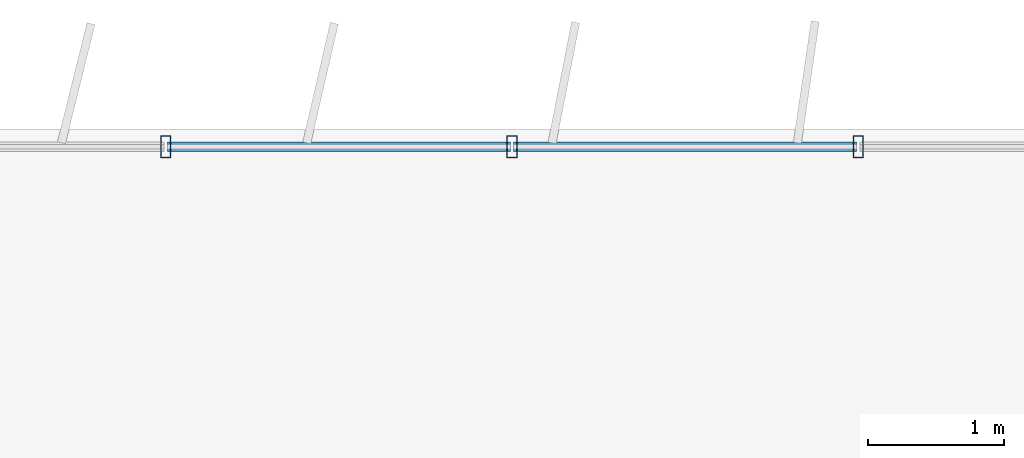
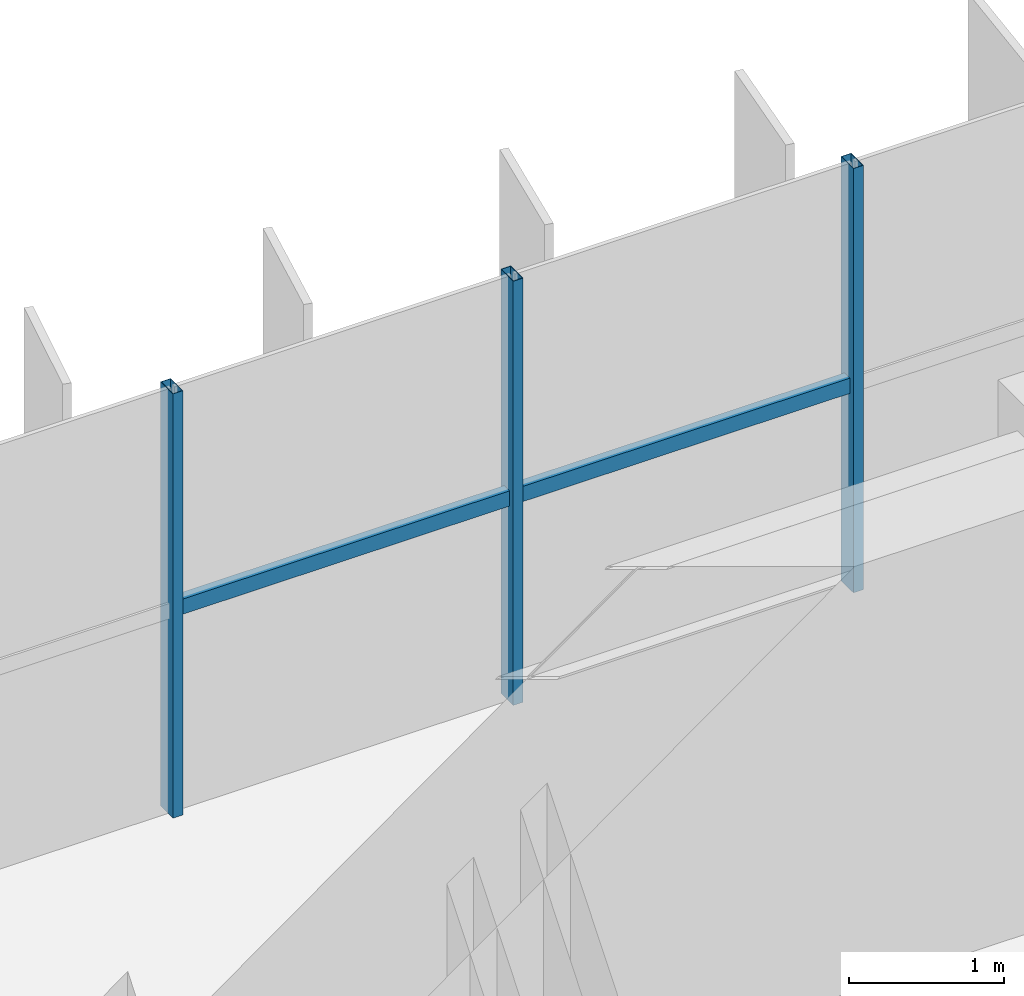
# One storey, part 6 of 21: 5 members, 1 element without a shape of its own.
"""IFC4 building model written with IfcOpenShell, lengths in metres."""

from ifc_helpers import new_model, si_unit, direction, frame, origin, origin_2d, place, context, subcontext, project, spatial, hollow_rectangle, extrude, source, transform, mapped, material, material_profile, profile_set, type_object, element, aggregate, save


model = new_model("IFC4")

# Units and contexts
model_context = context("Model", 3, precision=1e-05, world=origin(), true_north=direction((0.0, 1.0)))
body_context = subcontext(model_context, "Body", "Model", "MODEL_VIEW")
ifc_project = project(units=[si_unit("LENGTHUNIT", "METRE"), si_unit("AREAUNIT", "SQUARE_METRE"), si_unit("VOLUMEUNIT", "CUBIC_METRE"), si_unit("PLANEANGLEUNIT", "RADIAN"), si_unit("MASSUNIT", "GRAM", prefix="KILO")], contexts=[model_context])

# Site, building, storey
site_placement = place(None, origin())
site = spatial("IfcSite", under=ifc_project, at=site_placement, CompositionType="ELEMENT")
building_placement = place(site_placement, origin())
building = spatial("IfcBuilding", under=site, at=building_placement, Name="Trelvane Seafront Commons", CompositionType="ELEMENT")
storey_placement = place(building_placement, frame((0.0, 0.0, 135.699951171875)))
storey = spatial("IfcBuildingStorey", under=building, at=storey_placement, Name="L35", CompositionType="ELEMENT", Elevation=135.699951171875)

# Curtain wall, members
ifc_material = material(Name="Anodised pale-silver aluminium", Category="aluminium")
curtain_wall_type = type_object("IfcCurtainWallType", Name="ARCH-CW5-UPTOWER", PredefinedType="NOTDEFINED", material=ifc_material)
curtain_wall_placement = place(storey_placement, origin())
curtain_wall = element("IfcCurtainWall", 1, at=curtain_wall_placement, inside=storey, type_object=curtain_wall_type, Name="CW-L35-0062", PredefinedType="NOTDEFINED")
ifc_material_profile_1 = material_profile(ifc_material, hollow_rectangle(XDim=0.070068359375, YDim=0.1201171875, WallThickness=0.00390625, at=origin_2d()), Name="TRAN-70x120x4")
ifc_profile_set_1 = profile_set([ifc_material_profile_1], Name="Anodised pale-silver aluminium")
member_type_1 = type_object("IfcMemberType", Name="ARCH-CW-TRAN-120", PredefinedType="USERDEFINED", material=ifc_profile_set_1)
shared_shape_1 = source(origin(), body_context, "Body", "SweptSolid", [
    extrude(hollow_rectangle(XDim=0.070068359375, YDim=0.1201171875, WallThickness=0.00390625, at=origin_2d()), origin(), (0.0, 0.0, 1.0), 2.517333984375),
])
member_1_placement = place(storey_placement, frame((25.776611328125, 48.3701171875, 1.608154296875), z_axis=(1.0, 0.0, 0.0), x_axis=(0.0, 1.0, 0.0)))
member_1 = element("IfcMember", 2, at=member_1_placement, type_object=member_type_1, Name="CW-L35-0062-T04", ObjectType="TRANSOM", PredefinedType="USERDEFINED", context=body_context, shape_type="MappedRepresentation", body=[
    mapped(shared_shape_1, transform((0.0, 0.0, 0.0), x_axis=(1.0, 0.0, 0.0), y_axis=(0.0, 1.0, 0.0), z_axis=(0.0, 0.0, 1.0), scale=1.0)),
])
member_2_placement = place(storey_placement, frame((28.31787109375, 48.3701171875, 1.608154296875), z_axis=(1.0, 0.0, 0.0), x_axis=(0.0, 1.0, 0.0)))
member_2 = element("IfcMember", 3, at=member_2_placement, type_object=member_type_1, Name="CW-L35-0062-T05", ObjectType="TRANSOM", PredefinedType="USERDEFINED", context=body_context, shape_type="MappedRepresentation", body=[
    mapped(shared_shape_1, transform((0.0, 0.0, 0.0), x_axis=(1.0, 0.0, 0.0), y_axis=(0.0, 1.0, 0.0), z_axis=(0.0, 0.0, 1.0), scale=1.0)),
])
ifc_material_profile_2 = material_profile(ifc_material, hollow_rectangle(XDim=0.074951171875, YDim=0.159912109375, WallThickness=0.00390625, at=origin_2d()), Name="MULL-75x160x4")
ifc_profile_set_2 = profile_set([ifc_material_profile_2], Name="Anodised pale-silver aluminium")
member_type_2 = type_object("IfcMemberType", Name="ARCH-CW-MULL-160", PredefinedType="MULLION", material=ifc_profile_set_2)
shared_shape_2 = source(origin(), body_context, "Body", "SweptSolid", [
    extrude(hollow_rectangle(XDim=0.074951171875, YDim=0.159912109375, WallThickness=0.00390625, at=origin_2d()), origin(), (0.0, 0.0, 1.0), 3.35009765625),
])
member_3_placement = place(storey_placement, frame((25.7646484375, 48.3701171875, 0.0), z_axis=(0.0, 0.0, 1.0), x_axis=(1.0, 0.0, 0.0)))
member_3 = element("IfcMember", 4, at=member_3_placement, type_object=member_type_2, Name="CW-L35-0062-M04", PredefinedType="MULLION", context=body_context, shape_type="MappedRepresentation", body=[
    mapped(shared_shape_2, transform((0.0, 0.0, 0.0), x_axis=(1.0, 0.0, 0.0), y_axis=(0.0, 1.0, 0.0), z_axis=(0.0, 0.0, 1.0), scale=1.0)),
])
member_4_placement = place(storey_placement, frame((28.305908203125, 48.3701171875, 0.0), z_axis=(0.0, 0.0, 1.0), x_axis=(1.0, 0.0, 0.0)))
member_4 = element("IfcMember", 5, at=member_4_placement, type_object=member_type_2, Name="CW-L35-0062-M05", PredefinedType="MULLION", context=body_context, shape_type="MappedRepresentation", body=[
    mapped(shared_shape_2, transform((0.0, 0.0, 0.0), x_axis=(1.0, 0.0, 0.0), y_axis=(0.0, 1.0, 0.0), z_axis=(0.0, 0.0, 1.0), scale=1.0)),
])
member_5_placement = place(storey_placement, frame((30.84716796875, 48.3701171875, 0.0), z_axis=(0.0, 0.0, 1.0), x_axis=(1.0, 0.0, 0.0)))
member_5 = element("IfcMember", 6, at=member_5_placement, type_object=member_type_2, Name="CW-L35-0062-M06", PredefinedType="MULLION", context=body_context, shape_type="MappedRepresentation", body=[
    mapped(shared_shape_2, transform((0.0, 0.0, 0.0), x_axis=(1.0, 0.0, 0.0), y_axis=(0.0, 1.0, 0.0), z_axis=(0.0, 0.0, 1.0), scale=1.0)),
])
aggregate(curtain_wall, [member_3, member_4, member_5, member_1, member_2])

save(model, "model.ifc")
